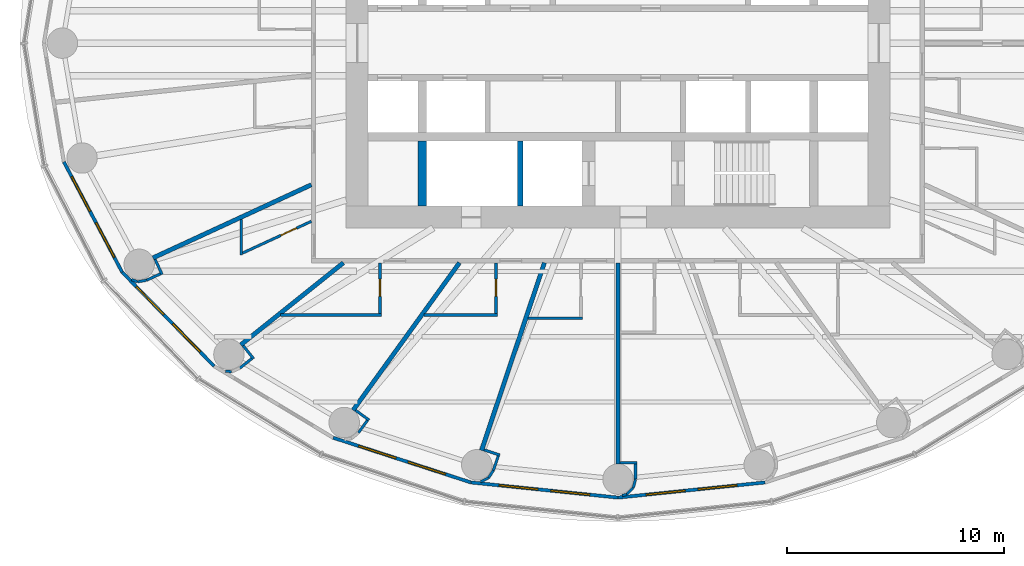
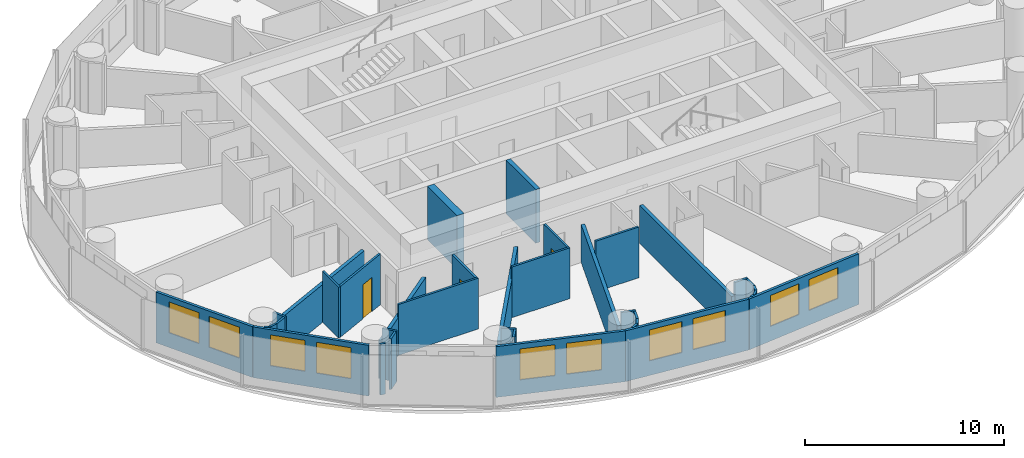
# One storey, part 6 of 14: 37 walls, 10 windows, 3 doors, 13 openings.
"""IFC4 building model written with IfcOpenShell, lengths in metres."""

from ifc_helpers import new_model, si_unit, direction, frame, frame_2d, origin, place, context, subcontext, project, spatial, rectangle, extrude, material, layer, layer_set, type_object, element, fill, save


model = new_model("IFC4")

# Units and contexts
model_context = context("Model", 3, precision=1e-05, world=origin(), true_north=direction((0.0, 1.0)))
body_context = subcontext(model_context, "Body", "Model", "MODEL_VIEW")
ifc_project = project(units=[si_unit("LENGTHUNIT", "METRE"), si_unit("AREAUNIT", "SQUARE_METRE"), si_unit("VOLUMEUNIT", "CUBIC_METRE"), si_unit("PLANEANGLEUNIT", "RADIAN"), si_unit("MASSUNIT", "GRAM", prefix="KILO")], contexts=[model_context])

# Site, building, storey
site_placement = place(None, origin())
site = spatial("IfcSite", under=ifc_project, at=site_placement, CompositionType="ELEMENT")
building_placement = place(site_placement, origin())
building = spatial("IfcBuilding", under=site, at=building_placement, Name="Hankou Lantern Tower", CompositionType="ELEMENT")
storey_placement = place(building_placement, frame((0.0, 0.0, 63.89990234375)))
storey = spatial("IfcBuildingStorey", under=building, at=storey_placement, Name="L15", CompositionType="ELEMENT", Elevation=63.89990234375)

# Wall
ifc_material_1 = material(Name="Concrete C60", Category="concrete")
ifc_layer_1 = layer(ifc_material_1, 0.39990234375)
ifc_layer_set_1 = layer_set([ifc_layer_1], Name="Concrete C60")
wall_type_1 = type_object("IfcWallType", Name="CW4 CORE CROSS WALL 400", PredefinedType="SHEAR", material=ifc_layer_set_1)
wall_1_placement = place(storey_placement, frame((-9.0, -7.5, 0.0), z_axis=(0.0, 0.0, 1.0), x_axis=(0.0, 1.0, 0.0)))
element("IfcWall", 1, at=wall_1_placement, inside=storey, type_object=wall_type_1, Name="Core strip wall L15", PredefinedType="SHEAR", context=body_context, shape_type="SweptSolid", body=[
    extrude(rectangle(XDim=3.0, YDim=0.39990234375, at=frame_2d((1.5, 0.0))), origin(), (0.0, 0.0, 1.0), 3.300048828125),
])

# Wall, openings, windows
ifc_material_2 = material(Name="Aluminium spandrel panel on steel studs", Category="steel")
ifc_layer_2 = layer(ifc_material_2, 0.14990234375)
ifc_layer_set_2 = layer_set([ifc_layer_2], Name="Aluminium spandrel panel on steel studs")
wall_type_2 = type_object("IfcWallType", Name="EW1 INNER SKIN WALL 150", PredefinedType="ELEMENTEDWALL", material=ifc_layer_set_2)
wall_2_placement = place(storey_placement, frame((-25.482421875, -5.46240234375, 0.0), z_axis=(0.0, 0.0, 1.0), x_axis=(0.467296867008, -0.884100468321, 0.0)))
wall_2 = element("IfcWall", 2, at=wall_2_placement, inside=storey, type_object=wall_type_2, Name="Inner skin R14-R15 L15", PredefinedType="ELEMENTEDWALL", context=body_context, shape_type="SweptSolid", body=[
    extrude(rectangle(XDim=5.734375, YDim=0.14990234375, at=frame_2d((2.8671875, 0.0))), origin(), (0.0, 0.0, 1.0), 3.1201171875),
])
opening_1_placement = place(wall_2_placement, frame((0.76708984375, 0.0, 0.89990234375)))
opening_1 = element("IfcOpeningElement", 3, at=opening_1_placement, cuts=wall_2, Name="Opening W1", PredefinedType="OPENING", context=body_context, shape_type="SweptSolid", body=[
    extrude(rectangle(XDim=1.800048828125, YDim=1.89990234375, at=frame_2d((0.89990234375, 0.949951171875))), frame((0.0, 0.0849609375, 0.0), z_axis=(0.0, -1.0, 0.0), x_axis=(1.0, 0.0, 0.0)), (0.0, 0.0, 1.0), 0.169921875),
])
opening_2_placement = place(wall_2_placement, frame((3.167236328125, 0.0, 0.89990234375)))
opening_2 = element("IfcOpeningElement", 4, at=opening_2_placement, cuts=wall_2, Name="Opening W1", PredefinedType="OPENING", context=body_context, shape_type="SweptSolid", body=[
    extrude(rectangle(XDim=1.800048828125, YDim=1.89990234375, at=frame_2d((0.89990234375, 0.949951171875))), frame((0.0, 0.0849609375, 0.0), z_axis=(0.0, -1.0, 0.0), x_axis=(1.0, 0.0, 0.0)), (0.0, 0.0, 1.0), 0.169921875),
])
ifc_material_3 = material(Name="Aluminium framed double glazed window", Category="aluminium")
window_type = type_object("IfcWindowType", Name="W1 GUEST ROOM WINDOW 1800X1900", PartitioningType="DOUBLE_PANEL_VERTICAL", PredefinedType="WINDOW", material=ifc_material_3)
window_1_placement = place(opening_1_placement, origin())
window_1 = element("IfcWindow", 5, at=window_1_placement, inside=storey, type_object=window_type, Name="Window R14.1 L15", OverallHeight=1.89990234375, OverallWidth=1.800048828125, PartitioningType="SINGLE_PANEL", PredefinedType="WINDOW", context=body_context, shape_type="SweptSolid", body=[
    extrude(rectangle(XDim=1.800048828125, YDim=1.89990234375, at=frame_2d((0.89990234375, 0.949951171875))), frame((0.0, 0.030029296875, 0.0), z_axis=(0.0, -1.0, 0.0), x_axis=(1.0, 0.0, 0.0)), (0.0, 0.0, 1.0), 0.06005859375),
])
fill(opening_1, window_1)
window_2_placement = place(opening_2_placement, origin())
window_2 = element("IfcWindow", 6, at=window_2_placement, inside=storey, type_object=window_type, Name="Window R14.2 L15", OverallHeight=1.89990234375, OverallWidth=1.800048828125, PartitioningType="SINGLE_PANEL", PredefinedType="WINDOW", context=body_context, shape_type="SweptSolid", body=[
    extrude(rectangle(XDim=1.800048828125, YDim=1.89990234375, at=frame_2d((0.89990234375, 0.949951171875))), frame((0.0, 0.030029296875, 0.0), z_axis=(0.0, -1.0, 0.0), x_axis=(1.0, 0.0, 0.0)), (0.0, 0.0, 1.0), 0.06005859375),
])
fill(opening_2, window_2)

wall_3_placement = place(storey_placement, frame((-22.802734375, -10.5322265625, 0.0), z_axis=(0.0, 0.0, 1.0), x_axis=(0.699602905915, -0.714531856557, 0.0)))
wall_3 = element("IfcWall", 7, at=wall_3_placement, inside=storey, type_object=wall_type_2, Name="Inner skin R15-R16 L15", PredefinedType="ELEMENTEDWALL", context=body_context, shape_type="SweptSolid", body=[
    extrude(rectangle(XDim=6.05078125, YDim=0.14990234375, at=frame_2d((3.025390625, 0.0))), origin(), (0.0, 0.0, 1.0), 3.1201171875),
])
opening_3_placement = place(wall_3_placement, frame((0.925537109375, 0.0, 0.89990234375)))
opening_3 = element("IfcOpeningElement", 8, at=opening_3_placement, cuts=wall_3, Name="Opening W1", PredefinedType="OPENING", context=body_context, shape_type="SweptSolid", body=[
    extrude(rectangle(XDim=1.800048828125, YDim=1.89990234375, at=frame_2d((0.89990234375, 0.949951171875))), frame((0.0, 0.0849609375, 0.0), z_axis=(0.0, -1.0, 0.0), x_axis=(1.0, 0.0, 0.0)), (0.0, 0.0, 1.0), 0.169921875),
])
opening_4_placement = place(wall_3_placement, frame((3.325439453125, 0.0, 0.89990234375)))
opening_4 = element("IfcOpeningElement", 9, at=opening_4_placement, cuts=wall_3, Name="Opening W1", PredefinedType="OPENING", context=body_context, shape_type="SweptSolid", body=[
    extrude(rectangle(XDim=1.800048828125, YDim=1.89990234375, at=frame_2d((0.89990234375, 0.949951171875))), frame((0.0, 0.0849609375, 0.0), z_axis=(0.0, -1.0, 0.0), x_axis=(1.0, 0.0, 0.0)), (0.0, 0.0, 1.0), 0.169921875),
])
window_3_placement = place(opening_3_placement, origin())
window_3 = element("IfcWindow", 10, at=window_3_placement, inside=storey, type_object=window_type, Name="Window R15.1 L15", OverallHeight=1.89990234375, OverallWidth=1.800048828125, PartitioningType="SINGLE_PANEL", PredefinedType="WINDOW", context=body_context, shape_type="SweptSolid", body=[
    extrude(rectangle(XDim=1.800048828125, YDim=1.89990234375, at=frame_2d((0.89990234375, 0.949951171875))), frame((0.0, 0.030029296875, 0.0), z_axis=(0.0, -1.0, 0.0), x_axis=(1.0, 0.0, 0.0)), (0.0, 0.0, 1.0), 0.06005859375),
])
fill(opening_3, window_3)
window_4_placement = place(opening_4_placement, origin())
window_4 = element("IfcWindow", 11, at=window_4_placement, inside=storey, type_object=window_type, Name="Window R15.2 L15", OverallHeight=1.89990234375, OverallWidth=1.800048828125, PartitioningType="SINGLE_PANEL", PredefinedType="WINDOW", context=body_context, shape_type="SweptSolid", body=[
    extrude(rectangle(XDim=1.800048828125, YDim=1.89990234375, at=frame_2d((0.89990234375, 0.949951171875))), frame((0.0, 0.030029296875, 0.0), z_axis=(0.0, -1.0, 0.0), x_axis=(1.0, 0.0, 0.0)), (0.0, 0.0, 1.0), 0.06005859375),
])
fill(opening_4, window_4)

wall_4_placement = place(storey_placement, frame((-13.096435546875, -18.14697265625, 0.0), z_axis=(0.0, 0.0, 1.0), x_axis=(0.951137534625, -0.308767534285, 0.0)))
wall_4 = element("IfcWall", 12, at=wall_4_placement, inside=storey, type_object=wall_type_2, Name="Inner skin R17-R18 L15", PredefinedType="ELEMENTEDWALL", context=body_context, shape_type="SweptSolid", body=[
    extrude(rectangle(XDim=6.6552734375, YDim=0.14990234375, at=frame_2d((3.32763671875, 0.0))), origin(), (0.0, 0.0, 1.0), 3.1201171875),
])
opening_5_placement = place(wall_4_placement, frame((1.2275390625, 0.0, 0.89990234375)))
opening_5 = element("IfcOpeningElement", 13, at=opening_5_placement, cuts=wall_4, Name="Opening W1", PredefinedType="OPENING", context=body_context, shape_type="SweptSolid", body=[
    extrude(rectangle(XDim=1.800048828125, YDim=1.89990234375, at=frame_2d((0.89990234375, 0.949951171875))), frame((0.0, 0.0849609375, 0.0), z_axis=(0.0, -1.0, 0.0), x_axis=(1.0, 0.0, 0.0)), (0.0, 0.0, 1.0), 0.169921875),
])
opening_6_placement = place(wall_4_placement, frame((3.627685546875, 0.0, 0.89990234375)))
opening_6 = element("IfcOpeningElement", 14, at=opening_6_placement, cuts=wall_4, Name="Opening W1", PredefinedType="OPENING", context=body_context, shape_type="SweptSolid", body=[
    extrude(rectangle(XDim=1.800048828125, YDim=1.89990234375, at=frame_2d((0.89990234375, 0.949951171875))), frame((0.0, 0.0849609375, 0.0), z_axis=(0.0, -1.0, 0.0), x_axis=(1.0, 0.0, 0.0)), (0.0, 0.0, 1.0), 0.169921875),
])
window_5_placement = place(opening_5_placement, origin())
window_5 = element("IfcWindow", 15, at=window_5_placement, inside=storey, type_object=window_type, Name="Window R17.1 L15", OverallHeight=1.89990234375, OverallWidth=1.800048828125, PartitioningType="SINGLE_PANEL", PredefinedType="WINDOW", context=body_context, shape_type="SweptSolid", body=[
    extrude(rectangle(XDim=1.800048828125, YDim=1.89990234375, at=frame_2d((0.89990234375, 0.949951171875))), frame((0.0, 0.030029296875, 0.0), z_axis=(0.0, -1.0, 0.0), x_axis=(1.0, 0.0, 0.0)), (0.0, 0.0, 1.0), 0.06005859375),
])
fill(opening_5, window_5)
window_6_placement = place(opening_6_placement, origin())
window_6 = element("IfcWindow", 16, at=window_6_placement, inside=storey, type_object=window_type, Name="Window R17.2 L15", OverallHeight=1.89990234375, OverallWidth=1.800048828125, PartitioningType="SINGLE_PANEL", PredefinedType="WINDOW", context=body_context, shape_type="SweptSolid", body=[
    extrude(rectangle(XDim=1.800048828125, YDim=1.89990234375, at=frame_2d((0.89990234375, 0.949951171875))), frame((0.0, 0.030029296875, 0.0), z_axis=(0.0, -1.0, 0.0), x_axis=(1.0, 0.0, 0.0)), (0.0, 0.0, 1.0), 0.06005859375),
])
fill(opening_6, window_6)

wall_5_placement = place(storey_placement, frame((-6.766357421875, -20.201904296875, 0.0), z_axis=(0.0, 0.0, 1.0), x_axis=(0.994721394369, -0.102612609291, 0.0)))
wall_5 = element("IfcWall", 17, at=wall_5_placement, inside=storey, type_object=wall_type_2, Name="Inner skin R18-R19 L15", PredefinedType="ELEMENTEDWALL", context=body_context, shape_type="SweptSolid", body=[
    extrude(rectangle(XDim=6.80224609375, YDim=0.14990234375, at=frame_2d((3.401123046875, 0.0))), origin(), (0.0, 0.0, 1.0), 3.1201171875),
])
opening_7_placement = place(wall_5_placement, frame((1.301025390625, 0.0, 0.89990234375)))
opening_7 = element("IfcOpeningElement", 18, at=opening_7_placement, cuts=wall_5, Name="Opening W1", PredefinedType="OPENING", context=body_context, shape_type="SweptSolid", body=[
    extrude(rectangle(XDim=1.800048828125, YDim=1.89990234375, at=frame_2d((0.89990234375, 0.949951171875))), frame((0.0, 0.0849609375, 0.0), z_axis=(0.0, -1.0, 0.0), x_axis=(1.0, 0.0, 0.0)), (0.0, 0.0, 1.0), 0.169921875),
])
opening_8_placement = place(wall_5_placement, frame((3.701171875, 0.0, 0.89990234375)))
opening_8 = element("IfcOpeningElement", 19, at=opening_8_placement, cuts=wall_5, Name="Opening W1", PredefinedType="OPENING", context=body_context, shape_type="SweptSolid", body=[
    extrude(rectangle(XDim=1.800048828125, YDim=1.89990234375, at=frame_2d((0.89990234375, 0.949951171875))), frame((0.0, 0.0849609375, 0.0), z_axis=(0.0, -1.0, 0.0), x_axis=(1.0, 0.0, 0.0)), (0.0, 0.0, 1.0), 0.169921875),
])
window_7_placement = place(opening_7_placement, origin())
window_7 = element("IfcWindow", 20, at=window_7_placement, inside=storey, type_object=window_type, Name="Window R18.1 L15", OverallHeight=1.89990234375, OverallWidth=1.800048828125, PartitioningType="SINGLE_PANEL", PredefinedType="WINDOW", context=body_context, shape_type="SweptSolid", body=[
    extrude(rectangle(XDim=1.800048828125, YDim=1.89990234375, at=frame_2d((0.89990234375, 0.949951171875))), frame((0.0, 0.030029296875, 0.0), z_axis=(0.0, -1.0, 0.0), x_axis=(1.0, 0.0, 0.0)), (0.0, 0.0, 1.0), 0.06005859375),
])
fill(opening_7, window_7)
window_8_placement = place(opening_8_placement, origin())
window_8 = element("IfcWindow", 21, at=window_8_placement, inside=storey, type_object=window_type, Name="Window R18.2 L15", OverallHeight=1.89990234375, OverallWidth=1.800048828125, PartitioningType="SINGLE_PANEL", PredefinedType="WINDOW", context=body_context, shape_type="SweptSolid", body=[
    extrude(rectangle(XDim=1.800048828125, YDim=1.89990234375, at=frame_2d((0.89990234375, 0.949951171875))), frame((0.0, 0.030029296875, 0.0), z_axis=(0.0, -1.0, 0.0), x_axis=(1.0, 0.0, 0.0)), (0.0, 0.0, 1.0), 0.06005859375),
])
fill(opening_8, window_8)

wall_6_placement = place(storey_placement, frame((0.0, -20.89990234375, 0.0), z_axis=(0.0, 0.0, 1.0), x_axis=(0.994721394369, 0.102612609291, 0.0)))
wall_6 = element("IfcWall", 22, at=wall_6_placement, inside=storey, type_object=wall_type_2, Name="Inner skin R19-R20 L15", PredefinedType="ELEMENTEDWALL", context=body_context, shape_type="SweptSolid", body=[
    extrude(rectangle(XDim=6.80224609375, YDim=0.14990234375, at=frame_2d((3.401123046875, 0.0))), origin(), (0.0, 0.0, 1.0), 3.1201171875),
])
opening_9_placement = place(wall_6_placement, frame((1.301025390625, 0.0, 0.89990234375)))
opening_9 = element("IfcOpeningElement", 23, at=opening_9_placement, cuts=wall_6, Name="Opening W1", PredefinedType="OPENING", context=body_context, shape_type="SweptSolid", body=[
    extrude(rectangle(XDim=1.800048828125, YDim=1.89990234375, at=frame_2d((0.89990234375, 0.949951171875))), frame((0.0, 0.0849609375, 0.0), z_axis=(0.0, -1.0, 0.0), x_axis=(1.0, 0.0, 0.0)), (0.0, 0.0, 1.0), 0.169921875),
])
opening_10_placement = place(wall_6_placement, frame((3.701171875, 0.0, 0.89990234375)))
opening_10 = element("IfcOpeningElement", 24, at=opening_10_placement, cuts=wall_6, Name="Opening W1", PredefinedType="OPENING", context=body_context, shape_type="SweptSolid", body=[
    extrude(rectangle(XDim=1.800048828125, YDim=1.89990234375, at=frame_2d((0.89990234375, 0.949951171875))), frame((0.0, 0.0849609375, 0.0), z_axis=(0.0, -1.0, 0.0), x_axis=(1.0, 0.0, 0.0)), (0.0, 0.0, 1.0), 0.169921875),
])
window_9_placement = place(opening_9_placement, origin())
window_9 = element("IfcWindow", 25, at=window_9_placement, inside=storey, type_object=window_type, Name="Window R19.1 L15", OverallHeight=1.89990234375, OverallWidth=1.800048828125, PartitioningType="SINGLE_PANEL", PredefinedType="WINDOW", context=body_context, shape_type="SweptSolid", body=[
    extrude(rectangle(XDim=1.800048828125, YDim=1.89990234375, at=frame_2d((0.89990234375, 0.949951171875))), frame((0.0, 0.030029296875, 0.0), z_axis=(0.0, -1.0, 0.0), x_axis=(1.0, 0.0, 0.0)), (0.0, 0.0, 1.0), 0.06005859375),
])
fill(opening_9, window_9)
window_10_placement = place(opening_10_placement, origin())
window_10 = element("IfcWindow", 26, at=window_10_placement, inside=storey, type_object=window_type, Name="Window R19.2 L15", OverallHeight=1.89990234375, OverallWidth=1.800048828125, PartitioningType="SINGLE_PANEL", PredefinedType="WINDOW", context=body_context, shape_type="SweptSolid", body=[
    extrude(rectangle(XDim=1.800048828125, YDim=1.89990234375, at=frame_2d((0.89990234375, 0.949951171875))), frame((0.0, 0.030029296875, 0.0), z_axis=(0.0, -1.0, 0.0), x_axis=(1.0, 0.0, 0.0)), (0.0, 0.0, 1.0), 0.06005859375),
])
fill(opening_10, window_10)

# Walls
ifc_material_4 = material(Name="Masonry lightweight concrete block", Category="masonry")
ifc_layer_3 = layer(ifc_material_4, 0.199951171875)
ifc_layer_set_3 = layer_set([ifc_layer_3], Name="Masonry lightweight concrete block")
wall_type_3 = type_object("IfcWallType", Name="IW1 GUEST ROOM PARTY WALL 200", PredefinedType="PARTITIONING", material=ifc_layer_set_3)
wall_7_placement = place(storey_placement, frame((-14.10009765625, -6.512451171875, 0.0), z_axis=(0.0, 0.0, 1.0), x_axis=(-0.907832871056, -0.419332181247, 0.0)))
element("IfcWall", 27, at=wall_7_placement, inside=storey, type_object=wall_type_3, Name="Party wall R15", PredefinedType="PARTITIONING", context=body_context, shape_type="SweptSolid", body=[
    extrude(rectangle(XDim=8.02294921875, YDim=0.199951171875, at=frame_2d((4.011474609375, 0.0))), origin(), (0.0, 0.0, 1.0), 2.320068359375),
])
wall_8_placement = place(storey_placement, frame((-12.625, -10.10009765625, 0.0), z_axis=(0.0, 0.0, 1.0), x_axis=(-0.780892451574, -0.624665493744, 0.0)))
element("IfcWall", 28, at=wall_8_placement, inside=storey, type_object=wall_type_3, Name="Party wall R16", PredefinedType="PARTITIONING", context=body_context, shape_type="SweptSolid", body=[
    extrude(rectangle(XDim=6.044677734375, YDim=0.199951171875, at=frame_2d((3.0224609375, 0.0))), origin(), (0.0, 0.0, 1.0), 2.320068359375),
])
wall_9_placement = place(storey_placement, frame((-7.2890625, -10.10009765625, 0.0), z_axis=(0.0, 0.0, 1.0), x_axis=(-0.585198353053, -0.810890182197, 0.0)))
element("IfcWall", 29, at=wall_9_placement, inside=storey, type_object=wall_type_3, Name="Party wall R17", PredefinedType="PARTITIONING", context=body_context, shape_type="SweptSolid", body=[
    extrude(rectangle(XDim=8.359619140625, YDim=0.199951171875, at=frame_2d((4.1796875, 0.0))), origin(), (0.0, 0.0, 1.0), 2.320068359375),
])
wall_10_placement = place(storey_placement, frame((-3.3828125, -10.10009765625, 0.0), z_axis=(0.0, 0.0, 1.0), x_axis=(-0.31759592231, -0.948226149256, 0.0)))
element("IfcWall", 30, at=wall_10_placement, inside=storey, type_object=wall_type_3, Name="Party wall R18", PredefinedType="PARTITIONING", context=body_context, shape_type="SweptSolid", body=[
    extrude(rectangle(XDim=9.098388671875, YDim=0.199951171875, at=frame_2d((4.54931640625, 0.0))), origin(), (0.0, 0.0, 1.0), 2.320068359375),
])
wall_11_placement = place(storey_placement, frame((0.0, -10.10009765625, 0.0), z_axis=(0.0, 0.0, 1.0), x_axis=(0.0, -1.0, 0.0)))
element("IfcWall", 31, at=wall_11_placement, inside=storey, type_object=wall_type_3, Name="Party wall R19", PredefinedType="PARTITIONING", context=body_context, shape_type="SweptSolid", body=[
    extrude(rectangle(XDim=9.25, YDim=0.199951171875, at=frame_2d((4.625, 0.0))), origin(), (0.0, 0.0, 1.0), 2.320068359375),
])
ifc_material_5 = material(Name="Masonry lightweight concrete block", Category="masonry")
ifc_layer_4 = layer(ifc_material_5, 0.1201171875)
ifc_layer_set_4 = layer_set([ifc_layer_4], Name="Masonry lightweight concrete block")
wall_type_4 = type_object("IfcWallType", Name="IW3 BATHROOM WALL 120", PredefinedType="PARTITIONING", material=ifc_layer_set_4)
wall_12_placement = place(storey_placement, frame((-17.32275390625, -8.10107421875, 0.0), z_axis=(0.0, 0.0, 1.0), x_axis=(0.0, -1.0, 0.0)))
element("IfcWall", 32, at=wall_12_placement, inside=storey, type_object=wall_type_4, Name="Box wall 1514 1", PredefinedType="PARTITIONING", context=body_context, shape_type="SweptSolid", body=[
    extrude(rectangle(XDim=1.639892578125, YDim=0.1201171875, at=frame_2d((0.81982421875, 0.0))), origin(), (0.0, 0.0, 1.0), 3.1201171875),
])

# Wall, opening, door
wall_13_placement = place(storey_placement, frame((-14.10009765625, -8.192626953125, 0.0), z_axis=(0.0, 0.0, 1.0), x_axis=(-0.907836493557, -0.419324338628, 0.0)))
wall_13 = element("IfcWall", 33, at=wall_13_placement, inside=storey, type_object=wall_type_4, Name="Box wall 1514 1", PredefinedType="PARTITIONING", context=body_context, shape_type="SweptSolid", body=[
    extrude(rectangle(XDim=3.48974609375, YDim=0.1201171875, at=frame_2d((1.744873046875, 0.0))), origin(), (0.0, 0.0, 1.0), 3.1201171875),
])
opening_11_placement = place(wall_13_placement, frame((0.75, 0.0, 0.0)))
opening_11 = element("IfcOpeningElement", 34, at=opening_11_placement, cuts=wall_13, Name="Opening D3", PredefinedType="OPENING", context=body_context, shape_type="SweptSolid", body=[
    extrude(rectangle(XDim=0.800048828125, YDim=2.10009765625, at=frame_2d((0.39990234375, 1.050048828125))), frame((0.0, 0.070068359375, 0.0), z_axis=(0.0, -1.0, 0.0), x_axis=(1.0, 0.0, 0.0)), (0.0, 0.0, 1.0), 0.14013671875),
])
ifc_material_6 = material(Name="Timber door leaf", Category="wood")
door_type = type_object("IfcDoorType", Name="D3 BATHROOM DOOR 800X2100", OperationType="SINGLE_SWING_LEFT", PredefinedType="DOOR", material=ifc_material_6)
door_1_placement = place(opening_11_placement, origin())
door_1 = element("IfcDoor", 35, at=door_1_placement, inside=storey, type_object=door_type, Name="En-suite bathroom 1514 door", OperationType="SINGLE_SWING_LEFT", OverallHeight=2.10009765625, OverallWidth=0.800048828125, PredefinedType="DOOR", context=body_context, shape_type="SweptSolid", body=[
    extrude(rectangle(XDim=0.800048828125, YDim=2.10009765625, at=frame_2d((0.39990234375, 1.050048828125))), frame((0.0, 0.02490234375, 0.0), z_axis=(0.0, -1.0, 0.0), x_axis=(1.0, 0.0, 0.0)), (0.0, 0.0, 1.0), 0.050048828125),
])
fill(opening_11, door_1)

# Wall
wall_14_placement = place(storey_placement, frame((-15.52490234375, -12.5, 0.0), z_axis=(0.0, 0.0, 1.0), x_axis=(1.0, 0.0, 0.0)))
element("IfcWall", 36, at=wall_14_placement, inside=storey, type_object=wall_type_4, Name="Box wall 1515 1", PredefinedType="PARTITIONING", context=body_context, shape_type="SweptSolid", body=[
    extrude(rectangle(XDim=4.639892578125, YDim=0.1201171875, at=frame_2d((2.31982421875, 0.0))), origin(), (0.0, 0.0, 1.0), 3.1201171875),
])

# Wall, opening, door
wall_15_placement = place(storey_placement, frame((-10.945068359375, -10.10009765625, 0.0), z_axis=(0.0, 0.0, 1.0), x_axis=(0.0, -1.0, 0.0)))
wall_15 = element("IfcWall", 37, at=wall_15_placement, inside=storey, type_object=wall_type_4, Name="Box wall 1515 1", PredefinedType="PARTITIONING", context=body_context, shape_type="SweptSolid", body=[
    extrude(rectangle(XDim=2.33984375, YDim=0.1201171875, at=frame_2d((1.169921875, 0.0))), origin(), (0.0, 0.0, 1.0), 3.1201171875),
])
opening_12_placement = place(wall_15_placement, frame((0.75, 0.0, 0.0)))
opening_12 = element("IfcOpeningElement", 38, at=opening_12_placement, cuts=wall_15, Name="Opening D3", PredefinedType="OPENING", context=body_context, shape_type="SweptSolid", body=[
    extrude(rectangle(XDim=0.800048828125, YDim=2.10009765625, at=frame_2d((0.39990234375, 1.050048828125))), frame((0.0, 0.070068359375, 0.0), z_axis=(0.0, -1.0, 0.0), x_axis=(1.0, 0.0, 0.0)), (0.0, 0.0, 1.0), 0.14013671875),
])
door_2_placement = place(opening_12_placement, origin())
door_2 = element("IfcDoor", 39, at=door_2_placement, inside=storey, type_object=door_type, Name="En-suite bathroom 1515 door", OperationType="SINGLE_SWING_LEFT", OverallHeight=2.10009765625, OverallWidth=0.800048828125, PredefinedType="DOOR", context=body_context, shape_type="SweptSolid", body=[
    extrude(rectangle(XDim=0.800048828125, YDim=2.10009765625, at=frame_2d((0.39990234375, 1.050048828125))), frame((0.0, 0.02490234375, 0.0), z_axis=(0.0, -1.0, 0.0), x_axis=(1.0, 0.0, 0.0)), (0.0, 0.0, 1.0), 0.050048828125),
])
fill(opening_12, door_2)

# Wall
wall_16_placement = place(storey_placement, frame((-8.921142578125, -12.5, 0.0), z_axis=(0.0, 0.0, 1.0), x_axis=(1.0, 0.0, 0.0)))
element("IfcWall", 40, at=wall_16_placement, inside=storey, type_object=wall_type_4, Name="Box wall 1516 1", PredefinedType="PARTITIONING", context=body_context, shape_type="SweptSolid", body=[
    extrude(rectangle(XDim=3.3720703125, YDim=0.1201171875, at=frame_2d((1.68603515625, 0.0))), origin(), (0.0, 0.0, 1.0), 3.1201171875),
])

# Wall, opening, door
wall_17_placement = place(storey_placement, frame((-5.609130859375, -10.10009765625, 0.0), z_axis=(0.0, 0.0, 1.0), x_axis=(0.0, -1.0, 0.0)))
wall_17 = element("IfcWall", 41, at=wall_17_placement, inside=storey, type_object=wall_type_4, Name="Box wall 1516 1", PredefinedType="PARTITIONING", context=body_context, shape_type="SweptSolid", body=[
    extrude(rectangle(XDim=2.33984375, YDim=0.1201171875, at=frame_2d((1.169921875, 0.0))), origin(), (0.0, 0.0, 1.0), 3.1201171875),
])
opening_13_placement = place(wall_17_placement, frame((0.75, 0.0, 0.0)))
opening_13 = element("IfcOpeningElement", 42, at=opening_13_placement, cuts=wall_17, Name="Opening D3", PredefinedType="OPENING", context=body_context, shape_type="SweptSolid", body=[
    extrude(rectangle(XDim=0.800048828125, YDim=2.10009765625, at=frame_2d((0.39990234375, 1.050048828125))), frame((0.0, 0.070068359375, 0.0), z_axis=(0.0, -1.0, 0.0), x_axis=(1.0, 0.0, 0.0)), (0.0, 0.0, 1.0), 0.14013671875),
])
door_3_placement = place(opening_13_placement, origin())
door_3 = element("IfcDoor", 43, at=door_3_placement, inside=storey, type_object=door_type, Name="En-suite bathroom 1516 door", OperationType="SINGLE_SWING_LEFT", OverallHeight=2.10009765625, OverallWidth=0.800048828125, PredefinedType="DOOR", context=body_context, shape_type="SweptSolid", body=[
    extrude(rectangle(XDim=0.800048828125, YDim=2.10009765625, at=frame_2d((0.39990234375, 1.050048828125))), frame((0.0, 0.02490234375, 0.0), z_axis=(0.0, -1.0, 0.0), x_axis=(1.0, 0.0, 0.0)), (0.0, 0.0, 1.0), 0.050048828125),
])
fill(opening_13, door_3)

# Walls
wall_18_placement = place(storey_placement, frame((-4.136962890625, -12.64990234375, 0.0), z_axis=(0.0, 0.0, 1.0), x_axis=(1.0, 0.0, 0.0)))
element("IfcWall", 44, at=wall_18_placement, inside=storey, type_object=wall_type_4, Name="Box wall 1517 1", PredefinedType="PARTITIONING", context=body_context, shape_type="SweptSolid", body=[
    extrude(rectangle(XDim=2.494140625, YDim=0.1201171875, at=frame_2d((1.2470703125, 0.0))), origin(), (0.0, 0.0, 1.0), 3.1201171875),
])
ifc_material_7 = material(Name="Masonry lightweight concrete block", Category="masonry")
ifc_layer_5 = layer(ifc_material_7, 0.1201171875)
ifc_layer_set_5 = layer_set([ifc_layer_5], Name="Masonry lightweight concrete block")
wall_type_5 = type_object("IfcWallType", Name="IW4 PARTITION 120", PredefinedType="PARTITIONING", material=ifc_layer_set_5)
wall_19_placement = place(storey_placement, frame((-21.287109375, -9.9423828125, 0.0), z_axis=(0.0, 0.0, 1.0), x_axis=(0.419259891039, -0.907866258744, 0.0)))
element("IfcWall", 45, at=wall_19_placement, inside=storey, type_object=wall_type_5, Name="Column casing R15 return", PredefinedType="PARTITIONING", context=body_context, shape_type="SweptSolid", body=[
    extrude(rectangle(XDim=0.767578125, YDim=0.1201171875, at=frame_2d((0.3837890625, 0.0))), origin(), (0.0, 0.0, 1.0), 3.1201171875),
])
wall_20_placement = place(storey_placement, frame((-21.044921875, -10.60986328125, 0.0), z_axis=(0.0, 0.0, 1.0), x_axis=(-0.907877701396, -0.419235112208, 0.0)))
element("IfcWall", 46, at=wall_20_placement, inside=storey, type_object=wall_type_5, Name="Column casing R15", PredefinedType="PARTITIONING", context=body_context, shape_type="SweptSolid", body=[
    extrude(rectangle(XDim=0.699951171875, YDim=0.1201171875, at=frame_2d((0.35009765625, 0.0))), origin(), (0.0, 0.0, 1.0), 3.1201171875),
])
wall_21_placement = place(storey_placement, frame((-21.680419921875, -10.9033203125, 0.0), z_axis=(0.0, 0.0, 1.0), x_axis=(-0.985446622073, -0.169985161247, 0.0)))
element("IfcWall", 47, at=wall_21_placement, inside=storey, type_object=wall_type_5, Name="Column casing R15", PredefinedType="PARTITIONING", context=body_context, shape_type="SweptSolid", body=[
    extrude(rectangle(XDim=0.41796875, YDim=0.1201171875, at=frame_2d((0.208984375, 0.0))), origin(), (0.0, 0.0, 1.0), 3.1201171875),
])
wall_22_placement = place(storey_placement, frame((-22.09228515625, -10.974365234375, 0.0), z_axis=(0.0, 0.0, 1.0), x_axis=(-0.938428160676, 0.345474437912, 0.0)))
element("IfcWall", 48, at=wall_22_placement, inside=storey, type_object=wall_type_5, Name="Column casing R15", PredefinedType="PARTITIONING", context=body_context, shape_type="SweptSolid", body=[
    extrude(rectangle(XDim=0.2939453125, YDim=0.1201171875, at=frame_2d((0.14697265625, 0.0))), origin(), (0.0, 0.0, 1.0), 3.1201171875),
])
wall_23_placement = place(storey_placement, frame((-17.23583984375, -13.916748046875, 0.0), z_axis=(0.0, 0.0, 1.0), x_axis=(0.624695047554, -0.780868809443, 0.0)))
element("IfcWall", 49, at=wall_23_placement, inside=storey, type_object=wall_type_5, Name="Column casing R16 return", PredefinedType="PARTITIONING", context=body_context, shape_type="SweptSolid", body=[
    extrude(rectangle(XDim=0.767578125, YDim=0.1201171875, at=frame_2d((0.3837890625, 0.0))), origin(), (0.0, 0.0, 1.0), 3.1201171875),
])
wall_24_placement = place(storey_placement, frame((-16.840576171875, -14.506591796875, 0.0), z_axis=(0.0, 0.0, 1.0), x_axis=(-0.780902834923, -0.62465251333, 0.0)))
element("IfcWall", 50, at=wall_24_placement, inside=storey, type_object=wall_type_5, Name="Column casing R16", PredefinedType="PARTITIONING", context=body_context, shape_type="SweptSolid", body=[
    extrude(rectangle(XDim=0.699951171875, YDim=0.1201171875, at=frame_2d((0.35009765625, 0.0))), origin(), (0.0, 0.0, 1.0), 3.1201171875),
])
wall_25_placement = place(storey_placement, frame((-17.770263671875, -15.111572265625, 0.0), z_axis=(0.0, 0.0, 1.0), x_axis=(-0.993904401174, 0.110245368731, 0.0)))
element("IfcWall", 51, at=wall_25_placement, inside=storey, type_object=wall_type_5, Name="Column casing R16", PredefinedType="PARTITIONING", context=body_context, shape_type="SweptSolid", body=[
    extrude(rectangle(XDim=0.287841796875, YDim=0.1201171875, at=frame_2d((0.14404296875, 0.0))), origin(), (0.0, 0.0, 1.0), 3.1201171875),
])
wall_26_placement = place(storey_placement, frame((-12.06494140625, -16.888671875, 0.0), z_axis=(0.0, 0.0, 1.0), x_axis=(0.810821798253, -0.585293098778, 0.0)))
element("IfcWall", 52, at=wall_26_placement, inside=storey, type_object=wall_type_5, Name="Column casing R17 return", PredefinedType="PARTITIONING", context=body_context, shape_type="SweptSolid", body=[
    extrude(rectangle(XDim=0.767578125, YDim=0.1201171875, at=frame_2d((0.3837890625, 0.0))), origin(), (0.0, 0.0, 1.0), 3.1201171875),
])
wall_27_placement = place(storey_placement, frame((-11.5263671875, -17.351318359375, 0.0), z_axis=(0.0, 0.0, 1.0), x_axis=(-0.585223113993, -0.810872312296, 0.0)))
element("IfcWall", 53, at=wall_27_placement, inside=storey, type_object=wall_type_5, Name="Column casing R17", PredefinedType="PARTITIONING", context=body_context, shape_type="SweptSolid", body=[
    extrude(rectangle(XDim=0.699951171875, YDim=0.1201171875, at=frame_2d((0.35009765625, 0.0))), origin(), (0.0, 0.0, 1.0), 3.1201171875),
])
wall_28_placement = place(storey_placement, frame((-6.15869140625, -18.702392578125, 0.0), z_axis=(0.0, 0.0, 1.0), x_axis=(0.948173154049, -0.31775410295, 0.0)))
element("IfcWall", 54, at=wall_28_placement, inside=storey, type_object=wall_type_5, Name="Column casing R18 return", PredefinedType="PARTITIONING", context=body_context, shape_type="SweptSolid", body=[
    extrude(rectangle(XDim=0.767578125, YDim=0.1201171875, at=frame_2d((0.3837890625, 0.0))), origin(), (0.0, 0.0, 1.0), 3.1201171875),
])
wall_29_placement = place(storey_placement, frame((-5.5068359375, -18.984130859375, 0.0), z_axis=(0.0, 0.0, 1.0), x_axis=(-0.317692050622, -0.948193946918, 0.0)))
element("IfcWall", 55, at=wall_29_placement, inside=storey, type_object=wall_type_5, Name="Column casing R18", PredefinedType="PARTITIONING", context=body_context, shape_type="SweptSolid", body=[
    extrude(rectangle(XDim=0.7001953125, YDim=0.1201171875, at=frame_2d((0.35009765625, 0.0))), origin(), (0.0, 0.0, 1.0), 3.1201171875),
])
wall_30_placement = place(storey_placement, frame((-5.729248046875, -19.64794921875, 0.0), z_axis=(0.0, 0.0, 1.0), x_axis=(-0.552135764955, -0.833754218615, 0.0)))
element("IfcWall", 56, at=wall_30_placement, inside=storey, type_object=wall_type_5, Name="Column casing R18", PredefinedType="PARTITIONING", context=body_context, shape_type="SweptSolid", body=[
    extrude(rectangle(XDim=0.41796875, YDim=0.1201171875, at=frame_2d((0.208984375, 0.0))), origin(), (0.0, 0.0, 1.0), 3.1201171875),
])
wall_31_placement = place(storey_placement, frame((-5.9599609375, -19.996337890625, 0.0), z_axis=(0.0, 0.0, 1.0), x_axis=(-0.895160725913, -0.445743507842, 0.0)))
element("IfcWall", 57, at=wall_31_placement, inside=storey, type_object=wall_type_5, Name="Column casing R18", PredefinedType="PARTITIONING", context=body_context, shape_type="SweptSolid", body=[
    extrude(rectangle(XDim=0.398681640625, YDim=0.1201171875, at=frame_2d((0.19921875, 0.0))), origin(), (0.0, 0.0, 1.0), 3.1201171875),
])
wall_32_placement = place(storey_placement, frame((0.10009765625, -19.2900390625, 0.0), z_axis=(0.0, 0.0, 1.0), x_axis=(1.0, 0.0, 0.0)))
element("IfcWall", 58, at=wall_32_placement, inside=storey, type_object=wall_type_5, Name="Column casing R19 return", PredefinedType="PARTITIONING", context=body_context, shape_type="SweptSolid", body=[
    extrude(rectangle(XDim=0.767333984375, YDim=0.1201171875, at=frame_2d((0.3837890625, 0.0))), origin(), (0.0, 0.0, 1.0), 3.1201171875),
])
wall_33_placement = place(storey_placement, frame((0.8076171875, -19.35009765625, 0.0), z_axis=(0.0, 0.0, 1.0), x_axis=(0.0, -1.0, 0.0)))
element("IfcWall", 59, at=wall_33_placement, inside=storey, type_object=wall_type_5, Name="Column casing R19", PredefinedType="PARTITIONING", context=body_context, shape_type="SweptSolid", body=[
    extrude(rectangle(XDim=0.699951171875, YDim=0.1201171875, at=frame_2d((0.35009765625, 0.0))), origin(), (0.0, 0.0, 1.0), 3.1201171875),
])
wall_34_placement = place(storey_placement, frame((0.8076171875, -20.050048828125, 0.0), z_axis=(0.0, 0.0, 1.0), x_axis=(-0.2592614205, -0.965807183573, 0.0)))
element("IfcWall", 60, at=wall_34_placement, inside=storey, type_object=wall_type_5, Name="Column casing R19", PredefinedType="PARTITIONING", context=body_context, shape_type="SweptSolid", body=[
    extrude(rectangle(XDim=0.418212890625, YDim=0.1201171875, at=frame_2d((0.208984375, 0.0))), origin(), (0.0, 0.0, 1.0), 3.1201171875),
])
wall_35_placement = place(storey_placement, frame((0.69921875, -20.453857421875, 0.0), z_axis=(0.0, 0.0, 1.0), x_axis=(-0.707106781187, -0.707106781187, 0.0)))
element("IfcWall", 61, at=wall_35_placement, inside=storey, type_object=wall_type_5, Name="Column casing R19", PredefinedType="PARTITIONING", context=body_context, shape_type="SweptSolid", body=[
    extrude(rectangle(XDim=0.417724609375, YDim=0.1201171875, at=frame_2d((0.208984375, 0.0))), origin(), (0.0, 0.0, 1.0), 3.1201171875),
])
wall_36_placement = place(storey_placement, frame((0.40380859375, -20.749267578125, 0.0), z_axis=(0.0, 0.0, 1.0), x_axis=(-0.965759066438, -0.25944060128, 0.0)))
element("IfcWall", 62, at=wall_36_placement, inside=storey, type_object=wall_type_5, Name="Column casing R19", PredefinedType="PARTITIONING", context=body_context, shape_type="SweptSolid", body=[
    extrude(rectangle(XDim=0.213623046875, YDim=0.1201171875, at=frame_2d((0.10693359375, 0.0))), origin(), (0.0, 0.0, 1.0), 3.1201171875),
])
ifc_material_8 = material(Name="Masonry autoclaved aerated concrete block", Category="masonry")
ifc_layer_6 = layer(ifc_material_8, 0.25)
ifc_layer_set_6 = layer_set([ifc_layer_6], Name="Masonry autoclaved aerated concrete block")
wall_type_6 = type_object("IfcWallType", Name="SW1 SHAFT BLOCK WALL 250", PredefinedType="PARTITIONING", material=ifc_layer_set_6)
wall_37_placement = place(storey_placement, frame((-4.5, -7.5, 0.0), z_axis=(0.0, 0.0, 1.0), x_axis=(0.0, 1.0, 0.0)))
element("IfcWall", 63, at=wall_37_placement, inside=storey, type_object=wall_type_6, Name="Riser wall L15", PredefinedType="PARTITIONING", context=body_context, shape_type="SweptSolid", body=[
    extrude(rectangle(XDim=3.0, YDim=0.25, at=frame_2d((1.5, 0.0))), origin(), (0.0, 0.0, 1.0), 3.300048828125),
])

save(model, "model.ifc")
